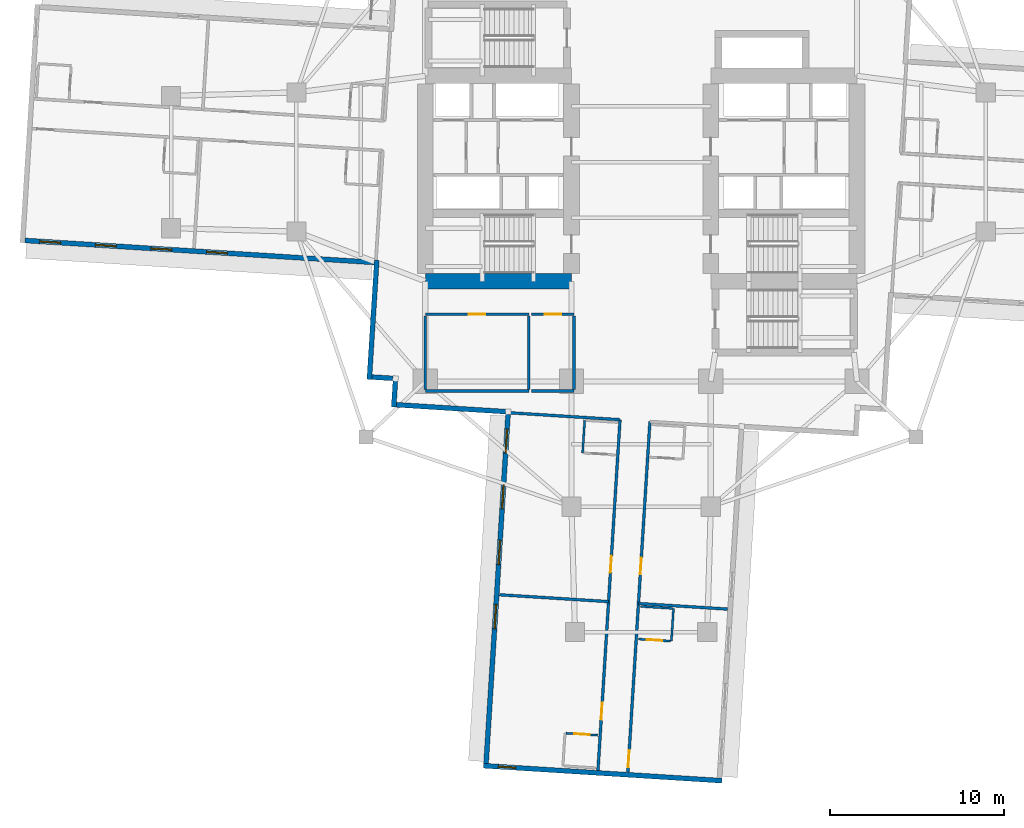
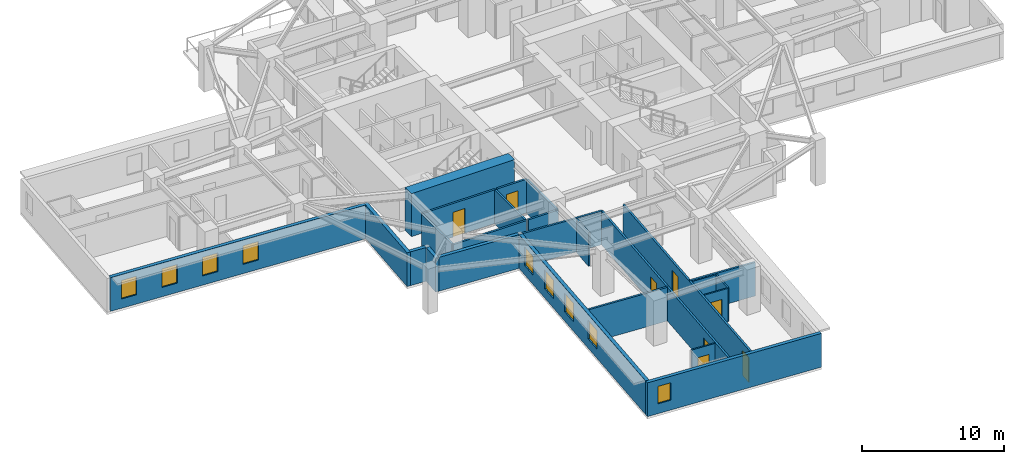
# One storey, part 3 of 14: 25 walls, 9 windows, 8 doors, 17 openings.
"""IFC4 building model written with IfcOpenShell, lengths in metres."""

from ifc_helpers import new_model, si_unit, direction, frame, frame_2d, origin, place, context, subcontext, project, spatial, rectangle, extrude, material, layer, layer_set, type_object, element, fill, save


model = new_model("IFC4")

# Units and contexts
model_context = context("Model", 3, precision=1e-05, world=origin(), true_north=direction((0.0, 1.0)))
body_context = subcontext(model_context, "Body", "Model", "MODEL_VIEW")
ifc_project = project(units=[si_unit("LENGTHUNIT", "METRE"), si_unit("AREAUNIT", "SQUARE_METRE"), si_unit("VOLUMEUNIT", "CUBIC_METRE"), si_unit("PLANEANGLEUNIT", "RADIAN"), si_unit("MASSUNIT", "GRAM", prefix="KILO")], contexts=[model_context])

# Site, building, storey
site_placement = place(None, origin())
site = spatial("IfcSite", under=ifc_project, at=site_placement, CompositionType="ELEMENT")
building_placement = place(site_placement, origin())
building = spatial("IfcBuilding", under=site, at=building_placement, Name="Qingluan Cross Belvedere", CompositionType="ELEMENT")
storey_placement = place(building_placement, frame((0.0, 0.0, 87.300048828125)))
storey = spatial("IfcBuildingStorey", under=building, at=storey_placement, Name="L22", CompositionType="ELEMENT", Elevation=87.300048828125)

# Walls
ifc_material_1 = material(Name="Concrete C70", Category="concrete")
ifc_layer_1 = layer(ifc_material_1, 0.89990234375, Name="CoreShearWall_900")
ifc_layer_set_1 = layer_set([ifc_layer_1], Name="Concrete C70")
wall_type_1 = type_object("IfcWallType", Name="CoreShearWall_900", PredefinedType="SHEAR", material=ifc_layer_set_1)
wall_1_placement = place(storey_placement, frame((-12.39990234375, -6.85009765625, 0.0), z_axis=(0.0, 0.0, 1.0), x_axis=(1.0, 0.0, 0.0)))
element("IfcWall", 1, at=wall_1_placement, inside=storey, type_object=wall_type_1, Name="Split core W shear wall L22-S", PredefinedType="SHEAR", context=body_context, shape_type="SweptSolid", body=[
    extrude(rectangle(XDim=8.39990234375, YDim=0.89990234375, at=frame_2d((4.199951171875, 0.0))), origin(), (0.0, 0.0, 1.0), 3.699951171875),
])
ifc_material_2 = material(Name="Gypsum plasterboard on steel stud acoustic partition", Category="steel")
ifc_layer_2 = layer(ifc_material_2, 0.159912109375, Name="CorridorPartition_160")
ifc_layer_set_2 = layer_set([ifc_layer_2], Name="Gypsum plasterboard on steel stud acoustic partition")
wall_type_2 = type_object("IfcWallType", Name="CorridorPartition_160", PredefinedType="PARTITIONING", material=ifc_layer_set_2)
wall_2_placement = place(storey_placement, frame((-12.39990234375, -13.14990234375, 0.0), z_axis=(0.0, 0.0, 1.0), x_axis=(1.0, 0.0, 0.0)))
element("IfcWall", 2, at=wall_2_placement, inside=storey, type_object=wall_type_2, Name="Partition L22:q_sw1:S", PredefinedType="PARTITIONING", context=body_context, shape_type="SweptSolid", body=[
    extrude(rectangle(XDim=5.949951171875, YDim=0.159912109375, at=frame_2d((2.97509765625, 0.0))), origin(), (0.0, 0.0, 1.0), 2.89990234375),
])

# Wall, opening, door
wall_3_placement = place(storey_placement, frame((-12.39990234375, -8.75, 0.0), z_axis=(0.0, 0.0, 1.0), x_axis=(1.0, 0.0, 0.0)))
wall_3 = element("IfcWall", 3, at=wall_3_placement, inside=storey, type_object=wall_type_2, Name="Partition L22:q_sw1:N", PredefinedType="PARTITIONING", context=body_context, shape_type="SweptSolid", body=[
    extrude(rectangle(XDim=5.949951171875, YDim=0.159912109375, at=frame_2d((2.97509765625, 0.0))), origin(), (0.0, 0.0, 1.0), 2.89990234375),
])
opening_1_placement = place(wall_3_placement, frame((2.4951171875, 0.0, 0.0)))
opening_1 = element("IfcOpeningElement", 4, at=opening_1_placement, cuts=wall_3, Name="Opening GD-10", PredefinedType="OPENING", context=body_context, shape_type="SweptSolid", body=[
    extrude(rectangle(XDim=0.9599609375, YDim=2.14990234375, at=frame_2d((0.47998046875, 1.074951171875))), frame((0.0, 0.08984375, 0.0), z_axis=(0.0, -1.0, 0.0), x_axis=(1.0, 0.0, 0.0)), (0.0, 0.0, 1.0), 0.179931640625),
])
ifc_material_3 = material(Name="Timber oak fire-rated acoustic guestroom door", Category="wood")
door_type_1 = type_object("IfcDoorType", Name="GuestEntryDoor_FD60", OperationType="NOTDEFINED", PredefinedType="DOOR", material=ifc_material_3)
door_1_placement = place(opening_1_placement, origin())
door_1 = element("IfcDoor", 5, at=door_1_placement, inside=storey, type_object=door_type_1, Name="Hydrotherapy treatment room L22 door", OperationType="SINGLE_SWING_LEFT", OverallHeight=2.14990234375, OverallWidth=0.9599609375, PredefinedType="DOOR", context=body_context, shape_type="SweptSolid", body=[
    extrude(rectangle(XDim=0.9599609375, YDim=2.14990234375, at=frame_2d((0.47998046875, 1.074951171875))), frame((0.0, 0.02490234375, 0.0), z_axis=(0.0, -1.0, 0.0), x_axis=(1.0, 0.0, 0.0)), (0.0, 0.0, 1.0), 0.050048828125),
])
fill(opening_1, door_1)

# Walls
for number, where, z_axis, x_axis, name in (
    (6, (-12.39990234375, -13.06494140625, 0.0), (0.0, 0.0, 1.0), (0.0, 1.0, 0.0), "Partition L22:q_sw1:W"),
    (7, (-6.449951171875, -13.06494140625, 0.0), (0.0, 0.0, 1.0), (0.0, 1.0, 0.0), "Partition L22:q_sw1:E"),
):
    element("IfcWall", number, at=place(storey_placement, frame(where, z_axis=z_axis, x_axis=x_axis)), inside=storey, type_object=wall_type_2, Name=name, PredefinedType="PARTITIONING", context=body_context, shape_type="SweptSolid", body=[
        extrude(rectangle(XDim=4.22998046875, YDim=0.159912109375, at=frame_2d((2.114990234375, 0.0))), origin(), (0.0, 0.0, 1.0), 2.89990234375),
    ])
wall_4_placement = place(storey_placement, frame((-6.2900390625, -13.14990234375, 0.0), z_axis=(0.0, 0.0, 1.0), x_axis=(1.0, 0.0, 0.0)))
element("IfcWall", 8, at=wall_4_placement, inside=storey, type_object=wall_type_2, Name="Partition L22:q_sw2:S", PredefinedType="PARTITIONING", context=body_context, shape_type="SweptSolid", body=[
    extrude(rectangle(XDim=2.43994140625, YDim=0.159912109375, at=frame_2d((1.219970703125, 0.0))), origin(), (0.0, 0.0, 1.0), 2.89990234375),
])

# Wall, opening, door
wall_5_placement = place(storey_placement, frame((-6.2900390625, -8.75, 0.0), z_axis=(0.0, 0.0, 1.0), x_axis=(1.0, 0.0, 0.0)))
wall_5 = element("IfcWall", 9, at=wall_5_placement, inside=storey, type_object=wall_type_2, Name="Partition L22:q_sw2:N", PredefinedType="PARTITIONING", context=body_context, shape_type="SweptSolid", body=[
    extrude(rectangle(XDim=2.43994140625, YDim=0.159912109375, at=frame_2d((1.219970703125, 0.0))), origin(), (0.0, 0.0, 1.0), 2.89990234375),
])
opening_2_placement = place(wall_5_placement, frame((0.739990234375, 0.0, 0.0)))
opening_2 = element("IfcOpeningElement", 10, at=opening_2_placement, cuts=wall_5, Name="Opening GD-10", PredefinedType="OPENING", context=body_context, shape_type="SweptSolid", body=[
    extrude(rectangle(XDim=0.9599609375, YDim=2.14990234375, at=frame_2d((0.47998046875, 1.074951171875))), frame((0.0, 0.08984375, 0.0), z_axis=(0.0, -1.0, 0.0), x_axis=(1.0, 0.0, 0.0)), (0.0, 0.0, 1.0), 0.179931640625),
])
door_2_placement = place(opening_2_placement, origin())
door_2 = element("IfcDoor", 11, at=door_2_placement, inside=storey, type_object=door_type_1, Name="Southwest reading room L22 door", OperationType="SINGLE_SWING_RIGHT", OverallHeight=2.14990234375, OverallWidth=0.9599609375, PredefinedType="DOOR", context=body_context, shape_type="SweptSolid", body=[
    extrude(rectangle(XDim=0.9599609375, YDim=2.14990234375, at=frame_2d((0.47998046875, 1.074951171875))), frame((0.0, 0.02490234375, 0.0), z_axis=(0.0, -1.0, 0.0), x_axis=(1.0, 0.0, 0.0)), (0.0, 0.0, 1.0), 0.050048828125),
])
fill(opening_2, door_2)

# Wall
wall_6_placement = place(storey_placement, frame((-3.85009765625, -13.06494140625, 0.0), z_axis=(0.0, 0.0, 1.0), x_axis=(0.0, 1.0, 0.0)))
element("IfcWall", 12, at=wall_6_placement, inside=storey, type_object=wall_type_2, Name="Partition L22:q_sw2:E", PredefinedType="PARTITIONING", context=body_context, shape_type="SweptSolid", body=[
    extrude(rectangle(XDim=4.22998046875, YDim=0.159912109375, at=frame_2d((2.114990234375, 0.0))), origin(), (0.0, 0.0, 1.0), 2.89990234375),
])

# Wall, openings, doors
wall_7_placement = place(storey_placement, frame((0.504638671875, -14.9111328125, 0.0), z_axis=(0.0, 0.0, 1.0), x_axis=(-0.062783460104, -0.998027172545, 0.0)))
wall_7 = element("IfcWall", 13, at=wall_7_placement, inside=storey, type_object=wall_type_2, Name="Partition L22:S:c0", PredefinedType="PARTITIONING", context=body_context, shape_type="SweptSolid", body=[
    extrude(rectangle(XDim=20.181884765625, YDim=0.159912109375, at=frame_2d((10.0908203125, 0.0))), origin(), (0.0, 0.0, 1.0), 2.89990234375),
])
opening_3_placement = place(wall_7_placement, frame((7.8359375, 0.0, 0.0)))
opening_3 = element("IfcOpeningElement", 14, at=opening_3_placement, cuts=wall_7, Name="Opening GD-10", PredefinedType="OPENING", context=body_context, shape_type="SweptSolid", body=[
    extrude(rectangle(XDim=0.9599609375, YDim=2.14990234375, at=frame_2d((0.47998046875, 1.074951171875))), frame((0.0, 0.08984375, 0.0), z_axis=(0.0, -1.0, 0.0), x_axis=(1.0, 0.0, 0.0)), (0.0, 0.0, 1.0), 0.179931640625),
])
opening_4_placement = place(wall_7_placement, frame((18.929931640625, 0.0, 0.0)))
opening_4 = element("IfcOpeningElement", 15, at=opening_4_placement, cuts=wall_7, Name="Opening GD-10", PredefinedType="OPENING", context=body_context, shape_type="SweptSolid", body=[
    extrude(rectangle(XDim=0.9599609375, YDim=2.14990234375, at=frame_2d((0.47998046875, 1.074951171875))), frame((0.0, 0.08984375, 0.0), z_axis=(0.0, -1.0, 0.0), x_axis=(1.0, 0.0, 0.0)), (0.0, 0.0, 1.0), 0.179931640625),
])
door_3_placement = place(opening_3_placement, origin())
door_3 = element("IfcDoor", 16, at=door_3_placement, inside=storey, type_object=door_type_1, Name="Guest entry fire door 2213", OperationType="SINGLE_SWING_LEFT", OverallHeight=2.14990234375, OverallWidth=0.9599609375, PredefinedType="DOOR", context=body_context, shape_type="SweptSolid", body=[
    extrude(rectangle(XDim=0.9599609375, YDim=2.14990234375, at=frame_2d((0.47998046875, 1.074951171875))), frame((0.0, 0.02490234375, 0.0), z_axis=(0.0, -1.0, 0.0), x_axis=(1.0, 0.0, 0.0)), (0.0, 0.0, 1.0), 0.050048828125),
])
fill(opening_3, door_3)
door_4_placement = place(opening_4_placement, origin())
door_4 = element("IfcDoor", 17, at=door_4_placement, inside=storey, type_object=door_type_1, Name="Guest entry fire door 2214", OperationType="SINGLE_SWING_LEFT", OverallHeight=2.14990234375, OverallWidth=0.9599609375, PredefinedType="DOOR", context=body_context, shape_type="SweptSolid", body=[
    extrude(rectangle(XDim=0.9599609375, YDim=2.14990234375, at=frame_2d((0.47998046875, 1.074951171875))), frame((0.0, 0.02490234375, 0.0), z_axis=(0.0, -1.0, 0.0), x_axis=(1.0, 0.0, 0.0)), (0.0, 0.0, 1.0), 0.050048828125),
])
fill(opening_4, door_4)

# Wall
wall_8_placement = place(storey_placement, frame((-0.152587890625, -25.360595703125, 0.0), z_axis=(0.0, 0.0, 1.0), x_axis=(0.998029371307, -0.062748498058, 0.0)))
element("IfcWall", 18, at=wall_8_placement, inside=storey, type_object=wall_type_2, Name="Partition L22:S:d0_0", PredefinedType="PARTITIONING", context=body_context, shape_type="SweptSolid", body=[
    extrude(rectangle(XDim=5.1318359375, YDim=0.159912109375, at=frame_2d((2.56591796875, 0.0))), origin(), (0.0, 0.0, 1.0), 2.89990234375),
])

# Wall, openings, doors
wall_9_placement = place(storey_placement, frame((-1.2119140625, -14.802978515625, 0.0), z_axis=(0.0, 0.0, 1.0), x_axis=(-0.06278270212, -0.998027220227, 0.0)))
wall_9 = element("IfcWall", 19, at=wall_9_placement, inside=storey, type_object=wall_type_2, Name="Partition L22:S:c1", PredefinedType="PARTITIONING", context=body_context, shape_type="SweptSolid", body=[
    extrude(rectangle(XDim=20.18212890625, YDim=0.159912109375, at=frame_2d((10.091064453125, 0.0))), origin(), (0.0, 0.0, 1.0), 2.89990234375),
])
opening_5_placement = place(wall_9_placement, frame((7.8359375, 0.0, 0.0)))
opening_5 = element("IfcOpeningElement", 20, at=opening_5_placement, cuts=wall_9, Name="Opening GD-10", PredefinedType="OPENING", context=body_context, shape_type="SweptSolid", body=[
    extrude(rectangle(XDim=0.9599609375, YDim=2.14990234375, at=frame_2d((0.47998046875, 1.074951171875))), frame((0.0, 0.08984375, 0.0), z_axis=(0.0, -1.0, 0.0), x_axis=(1.0, 0.0, 0.0)), (0.0, 0.0, 1.0), 0.179931640625),
])
opening_6_placement = place(wall_9_placement, frame((16.2958984375, 0.0, 0.0)))
opening_6 = element("IfcOpeningElement", 21, at=opening_6_placement, cuts=wall_9, Name="Opening GD-10", PredefinedType="OPENING", context=body_context, shape_type="SweptSolid", body=[
    extrude(rectangle(XDim=0.9599609375, YDim=2.14990234375, at=frame_2d((0.47998046875, 1.074951171875))), frame((0.0, 0.08984375, 0.0), z_axis=(0.0, -1.0, 0.0), x_axis=(1.0, 0.0, 0.0)), (0.0, 0.0, 1.0), 0.179931640625),
])
door_5_placement = place(opening_5_placement, origin())
door_5 = element("IfcDoor", 22, at=door_5_placement, inside=storey, type_object=door_type_1, Name="Guest entry fire door 2215", OperationType="SINGLE_SWING_LEFT", OverallHeight=2.14990234375, OverallWidth=0.9599609375, PredefinedType="DOOR", context=body_context, shape_type="SweptSolid", body=[
    extrude(rectangle(XDim=0.9599609375, YDim=2.14990234375, at=frame_2d((0.47998046875, 1.074951171875))), frame((0.0, 0.02490234375, 0.0), z_axis=(0.0, -1.0, 0.0), x_axis=(1.0, 0.0, 0.0)), (0.0, 0.0, 1.0), 0.050048828125),
])
fill(opening_5, door_5)
door_6_placement = place(opening_6_placement, origin())
door_6 = element("IfcDoor", 23, at=door_6_placement, inside=storey, type_object=door_type_1, Name="Guest entry fire door 2216", OperationType="SINGLE_SWING_LEFT", OverallHeight=2.14990234375, OverallWidth=0.9599609375, PredefinedType="DOOR", context=body_context, shape_type="SweptSolid", body=[
    extrude(rectangle(XDim=0.9599609375, YDim=2.14990234375, at=frame_2d((0.47998046875, 1.074951171875))), frame((0.0, 0.02490234375, 0.0), z_axis=(0.0, -1.0, 0.0), x_axis=(1.0, 0.0, 0.0)), (0.0, 0.0, 1.0), 0.050048828125),
])
fill(opening_6, door_6)

# Walls
wall_10_placement = place(storey_placement, frame((-1.2119140625, -14.802978515625, 0.0), z_axis=(0.0, 0.0, 1.0), x_axis=(-0.998027420959, 0.062779511096, 0.0)))
element("IfcWall", 24, at=wall_10_placement, inside=storey, type_object=wall_type_2, Name="Partition L22:S:s1", PredefinedType="PARTITIONING", context=body_context, shape_type="SweptSolid", body=[
    extrude(rectangle(XDim=6.43994140625, YDim=0.159912109375, at=frame_2d((3.219970703125, 0.0))), origin(), (0.0, 0.0, 1.0), 2.89990234375),
])
wall_11_placement = place(storey_placement, frame((-1.869384765625, -25.25244140625, 0.0), z_axis=(0.0, 0.0, 1.0), x_axis=(-0.998027283173, 0.062781701496, 0.0)))
element("IfcWall", 25, at=wall_11_placement, inside=storey, type_object=wall_type_2, Name="Partition L22:S:d1_0", PredefinedType="PARTITIONING", context=body_context, shape_type="SweptSolid", body=[
    extrude(rectangle(XDim=6.2919921875, YDim=0.159912109375, at=frame_2d((3.14599609375, 0.0))), origin(), (0.0, 0.0, 1.0), 2.89990234375),
])

# Wall, opening, door
ifc_material_4 = material(Name="Moisture-resistant gypsum board lining")
ifc_layer_3 = layer(ifc_material_4, 0.1201171875, Name="EnsuiteWetPartition_120")
ifc_layer_set_3 = layer_set([ifc_layer_3], Name="Moisture-resistant gypsum board lining")
wall_type_3 = type_object("IfcWallType", Name="EnsuiteWetPartition_120", PredefinedType="PARTITIONING", material=ifc_layer_set_3)
wall_12_placement = place(storey_placement, frame((-0.14111328125, -27.4052734375, 0.0), z_axis=(0.0, 0.0, 1.0), x_axis=(0.998027443946, -0.062779145668, 0.0)))
wall_12 = element("IfcWall", 26, at=wall_12_placement, inside=storey, type_object=wall_type_3, Name="Partition L22:S:bs0_1", PredefinedType="PARTITIONING", context=body_context, shape_type="SweptSolid", body=[
    extrude(rectangle(XDim=1.820068359375, YDim=0.1201171875, at=frame_2d((0.91015625, 0.0))), origin(), (0.0, 0.0, 1.0), 2.89990234375),
])
opening_7_placement = place(wall_12_placement, frame((0.469970703125, 0.0, 0.0)))
opening_7 = element("IfcOpeningElement", 27, at=opening_7_placement, cuts=wall_12, Name="Opening BD-09", PredefinedType="OPENING", context=body_context, shape_type="SweptSolid", body=[
    extrude(rectangle(XDim=0.8798828125, YDim=2.10009765625, at=frame_2d((0.43994140625, 1.050048828125))), frame((0.0, 0.070068359375, 0.0), z_axis=(0.0, -1.0, 0.0), x_axis=(1.0, 0.0, 0.0)), (0.0, 0.0, 1.0), 0.14013671875),
])
ifc_material_5 = material(Name="Moisture-sealed timber en-suite door", Category="wood")
door_type_2 = type_object("IfcDoorType", Name="BathroomDoor_880", OperationType="NOTDEFINED", PredefinedType="DOOR", material=ifc_material_5)
door_7_placement = place(opening_7_placement, origin())
door_7 = element("IfcDoor", 28, at=door_7_placement, inside=storey, type_object=door_type_2, Name="Bathroom door 2214", OperationType="SINGLE_SWING_RIGHT", OverallHeight=2.10009765625, OverallWidth=0.8798828125, PredefinedType="DOOR", context=body_context, shape_type="SweptSolid", body=[
    extrude(rectangle(XDim=0.8798828125, YDim=2.10009765625, at=frame_2d((0.43994140625, 1.050048828125))), frame((0.0, 0.02490234375, 0.0), z_axis=(0.0, -1.0, 0.0), x_axis=(1.0, 0.0, 0.0)), (0.0, 0.0, 1.0), 0.050048828125),
])
fill(opening_7, door_7)

# Walls
wall_13_placement = place(storey_placement, frame((-0.02294921875, -25.52880859375, 0.0), z_axis=(0.0, 0.0, 1.0), x_axis=(0.998019030272, -0.062912758763, 0.0)))
element("IfcWall", 29, at=wall_13_placement, inside=storey, type_object=wall_type_3, Name="Partition L22:S:bw0_1", PredefinedType="PARTITIONING", context=body_context, shape_type="SweptSolid", body=[
    extrude(rectangle(XDim=1.820068359375, YDim=0.1201171875, at=frame_2d((0.91015625, 0.0))), origin(), (0.0, 0.0, 1.0), 2.89990234375),
])
wall_14_placement = place(storey_placement, frame((1.8583984375, -25.647216796875, 0.0), z_axis=(0.0, 0.0, 1.0), x_axis=(-0.062847152131, -0.998023163794, 0.0)))
element("IfcWall", 30, at=wall_14_placement, inside=storey, type_object=wall_type_3, Name="Partition L22:S:bn0_1", PredefinedType="PARTITIONING", context=body_context, shape_type="SweptSolid", body=[
    extrude(rectangle(XDim=1.880126953125, YDim=0.1201171875, at=frame_2d((0.93994140625, 0.0))), origin(), (0.0, 0.0, 1.0), 2.89990234375),
])
wall_15_placement = place(storey_placement, frame((-3.242919921875, -14.835693359375, 0.0), z_axis=(0.0, 0.0, 1.0), x_axis=(-0.062855297722, -0.998022650819, 0.0)))
element("IfcWall", 31, at=wall_15_placement, inside=storey, type_object=wall_type_3, Name="Partition L22:S:bc1_0", PredefinedType="PARTITIONING", context=body_context, shape_type="SweptSolid", body=[
    extrude(rectangle(XDim=1.8798828125, YDim=0.1201171875, at=frame_2d((0.93994140625, 0.0))), origin(), (0.0, 0.0, 1.0), 2.89990234375),
])

# Wall, opening, door
wall_16_placement = place(storey_placement, frame((-4.308837890625, -32.814208984375, 0.0), z_axis=(0.0, 0.0, 1.0), x_axis=(0.998027443946, -0.062779145668, 0.0)))
wall_16 = element("IfcWall", 32, at=wall_16_placement, inside=storey, type_object=wall_type_3, Name="Partition L22:S:bs1_1", PredefinedType="PARTITIONING", context=body_context, shape_type="SweptSolid", body=[
    extrude(rectangle(XDim=1.820068359375, YDim=0.1201171875, at=frame_2d((0.91015625, 0.0))), origin(), (0.0, 0.0, 1.0), 2.89990234375),
])
opening_8_placement = place(wall_16_placement, frame((0.469970703125, 0.0, 0.0)))
opening_8 = element("IfcOpeningElement", 33, at=opening_8_placement, cuts=wall_16, Name="Opening BD-09", PredefinedType="OPENING", context=body_context, shape_type="SweptSolid", body=[
    extrude(rectangle(XDim=0.8798828125, YDim=2.10009765625, at=frame_2d((0.43994140625, 1.050048828125))), frame((0.0, 0.070068359375, 0.0), z_axis=(0.0, -1.0, 0.0), x_axis=(1.0, 0.0, 0.0)), (0.0, 0.0, 1.0), 0.14013671875),
])
door_8_placement = place(opening_8_placement, origin())
door_8 = element("IfcDoor", 34, at=door_8_placement, inside=storey, type_object=door_type_2, Name="Bathroom door 2216", OperationType="SINGLE_SWING_RIGHT", OverallHeight=2.10009765625, OverallWidth=0.8798828125, PredefinedType="DOOR", context=body_context, shape_type="SweptSolid", body=[
    extrude(rectangle(XDim=0.8798828125, YDim=2.10009765625, at=frame_2d((0.43994140625, 1.050048828125))), frame((0.0, 0.02490234375, 0.0), z_axis=(0.0, -1.0, 0.0), x_axis=(1.0, 0.0, 0.0)), (0.0, 0.0, 1.0), 0.050048828125),
])
fill(opening_8, door_8)

# Wall, openings, windows
ifc_material_6 = material(Name="Precast concrete C45", Category="concrete")
ifc_layer_4 = layer(ifc_material_6, 0.280029296875, Name="PrecastFacadeWall_280")
ifc_layer_set_4 = layer_set([ifc_layer_4], Name="Precast concrete C45")
wall_type_4 = type_object("IfcWallType", Name="PrecastFacadeWall_280", PredefinedType="STANDARD", material=ifc_layer_set_4)
wall_17_placement = place(storey_placement, frame((-35.392822265625, -4.506591796875, 0.0), z_axis=(0.0, 0.0, 1.0), x_axis=(0.998027116198, -0.062784355807, 0.0)))
wall_17 = element("IfcWall", 35, at=wall_17_placement, inside=storey, type_object=wall_type_4, Name="Facade wall L22-WB", PredefinedType="STANDARD", context=body_context, shape_type="SweptSolid", body=[
    extrude(rectangle(XDim=20.099853515625, YDim=0.280029296875, at=frame_2d((10.0498046875, 0.0))), origin(), (0.0, 0.0, 1.0), 2.909912109375),
])
opening_9_placement = place(wall_17_placement, frame((0.85009765625, 0.0, 0.800048828125)))
opening_9 = element("IfcOpeningElement", 36, at=opening_9_placement, cuts=wall_17, Name="Opening W-02", PredefinedType="OPENING", context=body_context, shape_type="SweptSolid", body=[
    extrude(rectangle(XDim=1.199951171875, YDim=1.60009765625, at=frame_2d((0.60009765625, 0.800048828125))), frame((0.0, 0.14990234375, 0.0), z_axis=(0.0, -1.0, 0.0), x_axis=(1.0, 0.0, 0.0)), (0.0, 0.0, 1.0), 0.300048828125),
])
opening_10_placement = place(wall_17_placement, frame((4.050048828125, 0.0, 0.800048828125)))
opening_10 = element("IfcOpeningElement", 37, at=opening_10_placement, cuts=wall_17, Name="Opening W-02", PredefinedType="OPENING", context=body_context, shape_type="SweptSolid", body=[
    extrude(rectangle(XDim=1.199951171875, YDim=1.60009765625, at=frame_2d((0.60009765625, 0.800048828125))), frame((0.0, 0.14990234375, 0.0), z_axis=(0.0, -1.0, 0.0), x_axis=(1.0, 0.0, 0.0)), (0.0, 0.0, 1.0), 0.300048828125),
])
opening_11_placement = place(wall_17_placement, frame((7.25, 0.0, 0.800048828125)))
opening_11 = element("IfcOpeningElement", 38, at=opening_11_placement, cuts=wall_17, Name="Opening W-02", PredefinedType="OPENING", context=body_context, shape_type="SweptSolid", body=[
    extrude(rectangle(XDim=1.199951171875, YDim=1.60009765625, at=frame_2d((0.60009765625, 0.800048828125))), frame((0.0, 0.14990234375, 0.0), z_axis=(0.0, -1.0, 0.0), x_axis=(1.0, 0.0, 0.0)), (0.0, 0.0, 1.0), 0.300048828125),
])
opening_12_placement = place(wall_17_placement, frame((10.449951171875, 0.0, 0.800048828125)))
opening_12 = element("IfcOpeningElement", 39, at=opening_12_placement, cuts=wall_17, Name="Opening W-02", PredefinedType="OPENING", context=body_context, shape_type="SweptSolid", body=[
    extrude(rectangle(XDim=1.199951171875, YDim=1.60009765625, at=frame_2d((0.60009765625, 0.800048828125))), frame((0.0, 0.14990234375, 0.0), z_axis=(0.0, -1.0, 0.0), x_axis=(1.0, 0.0, 0.0)), (0.0, 0.0, 1.0), 0.300048828125),
])
ifc_material_7 = material(Name="Thermally broken triple Low-E glass in aluminium frame", Category="aluminium")
window_type_1 = type_object("IfcWindowType", Name="TriRibbonWin_1200x1600", PartitioningType="SINGLE_PANEL", PredefinedType="WINDOW", material=ifc_material_7)
window_1_placement = place(opening_9_placement, origin())
window_1 = element("IfcWindow", 40, at=window_1_placement, inside=storey, type_object=window_type_1, Name="Ribbon window L22-WB-1", OverallHeight=1.60009765625, OverallWidth=1.199951171875, PartitioningType="SINGLE_PANEL", PredefinedType="WINDOW", context=body_context, shape_type="SweptSolid", body=[
    extrude(rectangle(XDim=1.199951171875, YDim=1.60009765625, at=frame_2d((0.60009765625, 0.800048828125))), frame((0.0, 0.030029296875, 0.0), z_axis=(0.0, -1.0, 0.0), x_axis=(1.0, 0.0, 0.0)), (0.0, 0.0, 1.0), 0.06005859375),
])
fill(opening_9, window_1)
window_2_placement = place(opening_10_placement, origin())
window_2 = element("IfcWindow", 41, at=window_2_placement, inside=storey, type_object=window_type_1, Name="Ribbon window L22-WB-2", OverallHeight=1.60009765625, OverallWidth=1.199951171875, PartitioningType="SINGLE_PANEL", PredefinedType="WINDOW", context=body_context, shape_type="SweptSolid", body=[
    extrude(rectangle(XDim=1.199951171875, YDim=1.60009765625, at=frame_2d((0.60009765625, 0.800048828125))), frame((0.0, 0.030029296875, 0.0), z_axis=(0.0, -1.0, 0.0), x_axis=(1.0, 0.0, 0.0)), (0.0, 0.0, 1.0), 0.06005859375),
])
fill(opening_10, window_2)
window_3_placement = place(opening_11_placement, origin())
window_3 = element("IfcWindow", 42, at=window_3_placement, inside=storey, type_object=window_type_1, Name="Ribbon window L22-WB-3", OverallHeight=1.60009765625, OverallWidth=1.199951171875, PartitioningType="SINGLE_PANEL", PredefinedType="WINDOW", context=body_context, shape_type="SweptSolid", body=[
    extrude(rectangle(XDim=1.199951171875, YDim=1.60009765625, at=frame_2d((0.60009765625, 0.800048828125))), frame((0.0, 0.030029296875, 0.0), z_axis=(0.0, -1.0, 0.0), x_axis=(1.0, 0.0, 0.0)), (0.0, 0.0, 1.0), 0.06005859375),
])
fill(opening_11, window_3)
window_4_placement = place(opening_12_placement, origin())
window_4 = element("IfcWindow", 43, at=window_4_placement, inside=storey, type_object=window_type_1, Name="Ribbon window L22-WB-4", OverallHeight=1.60009765625, OverallWidth=1.199951171875, PartitioningType="SINGLE_PANEL", PredefinedType="WINDOW", context=body_context, shape_type="SweptSolid", body=[
    extrude(rectangle(XDim=1.199951171875, YDim=1.60009765625, at=frame_2d((0.60009765625, 0.800048828125))), frame((0.0, 0.030029296875, 0.0), z_axis=(0.0, -1.0, 0.0), x_axis=(1.0, 0.0, 0.0)), (0.0, 0.0, 1.0), 0.06005859375),
])
fill(opening_12, window_4)

wall_18_placement = place(storey_placement, frame((-7.644775390625, -14.488525390625, 0.0), z_axis=(0.0, 0.0, 1.0), x_axis=(-0.06279645424, -0.99802635503, 0.0)))
wall_18 = element("IfcWall", 44, at=wall_18_placement, inside=storey, type_object=wall_type_4, Name="Facade wall L22-SA", PredefinedType="STANDARD", context=body_context, shape_type="SweptSolid", body=[
    extrude(rectangle(XDim=20.099853515625, YDim=0.280029296875, at=frame_2d((10.0498046875, 0.0))), origin(), (0.0, 0.0, 1.0), 2.909912109375),
])
opening_13_placement = place(wall_18_placement, frame((0.85009765625, 0.0, 0.800048828125)))
opening_13 = element("IfcOpeningElement", 45, at=opening_13_placement, cuts=wall_18, Name="Opening W-01", PredefinedType="OPENING", context=body_context, shape_type="SweptSolid", body=[
    extrude(rectangle(XDim=1.39990234375, YDim=1.60009765625, at=frame_2d((0.699951171875, 0.800048828125))), frame((0.0, 0.14990234375, 0.0), z_axis=(0.0, -1.0, 0.0), x_axis=(1.0, 0.0, 0.0)), (0.0, 0.0, 1.0), 0.300048828125),
])
opening_14_placement = place(wall_18_placement, frame((4.050048828125, 0.0, 0.800048828125)))
opening_14 = element("IfcOpeningElement", 46, at=opening_14_placement, cuts=wall_18, Name="Opening W-01", PredefinedType="OPENING", context=body_context, shape_type="SweptSolid", body=[
    extrude(rectangle(XDim=1.39990234375, YDim=1.60009765625, at=frame_2d((0.699951171875, 0.800048828125))), frame((0.0, 0.14990234375, 0.0), z_axis=(0.0, -1.0, 0.0), x_axis=(1.0, 0.0, 0.0)), (0.0, 0.0, 1.0), 0.300048828125),
])
opening_15_placement = place(wall_18_placement, frame((7.25, 0.0, 0.800048828125)))
opening_15 = element("IfcOpeningElement", 47, at=opening_15_placement, cuts=wall_18, Name="Opening W-01", PredefinedType="OPENING", context=body_context, shape_type="SweptSolid", body=[
    extrude(rectangle(XDim=1.39990234375, YDim=1.60009765625, at=frame_2d((0.699951171875, 0.800048828125))), frame((0.0, 0.14990234375, 0.0), z_axis=(0.0, -1.0, 0.0), x_axis=(1.0, 0.0, 0.0)), (0.0, 0.0, 1.0), 0.300048828125),
])
opening_16_placement = place(wall_18_placement, frame((10.949951171875, 0.0, 0.800048828125)))
opening_16 = element("IfcOpeningElement", 48, at=opening_16_placement, cuts=wall_18, Name="Opening W-01", PredefinedType="OPENING", context=body_context, shape_type="SweptSolid", body=[
    extrude(rectangle(XDim=1.39990234375, YDim=1.60009765625, at=frame_2d((0.699951171875, 0.800048828125))), frame((0.0, 0.14990234375, 0.0), z_axis=(0.0, -1.0, 0.0), x_axis=(1.0, 0.0, 0.0)), (0.0, 0.0, 1.0), 0.300048828125),
])
ifc_material_8 = material(Name="Thermally broken triple Low-E glass in aluminium frame", Category="aluminium")
window_type_2 = type_object("IfcWindowType", Name="TriRibbonWin_1400x1600", PartitioningType="SINGLE_PANEL", PredefinedType="WINDOW", material=ifc_material_8)
window_5_placement = place(opening_13_placement, origin())
window_5 = element("IfcWindow", 49, at=window_5_placement, inside=storey, type_object=window_type_2, Name="Ribbon window L22-SA-1", OverallHeight=1.60009765625, OverallWidth=1.39990234375, PartitioningType="SINGLE_PANEL", PredefinedType="WINDOW", context=body_context, shape_type="SweptSolid", body=[
    extrude(rectangle(XDim=1.39990234375, YDim=1.60009765625, at=frame_2d((0.699951171875, 0.800048828125))), frame((0.0, 0.030029296875, 0.0), z_axis=(0.0, -1.0, 0.0), x_axis=(1.0, 0.0, 0.0)), (0.0, 0.0, 1.0), 0.06005859375),
])
fill(opening_13, window_5)
window_6_placement = place(opening_14_placement, origin())
window_6 = element("IfcWindow", 50, at=window_6_placement, inside=storey, type_object=window_type_2, Name="Ribbon window L22-SA-2", OverallHeight=1.60009765625, OverallWidth=1.39990234375, PartitioningType="SINGLE_PANEL", PredefinedType="WINDOW", context=body_context, shape_type="SweptSolid", body=[
    extrude(rectangle(XDim=1.39990234375, YDim=1.60009765625, at=frame_2d((0.699951171875, 0.800048828125))), frame((0.0, 0.030029296875, 0.0), z_axis=(0.0, -1.0, 0.0), x_axis=(1.0, 0.0, 0.0)), (0.0, 0.0, 1.0), 0.06005859375),
])
fill(opening_14, window_6)
window_7_placement = place(opening_15_placement, origin())
window_7 = element("IfcWindow", 51, at=window_7_placement, inside=storey, type_object=window_type_2, Name="Ribbon window L22-SA-3", OverallHeight=1.60009765625, OverallWidth=1.39990234375, PartitioningType="SINGLE_PANEL", PredefinedType="WINDOW", context=body_context, shape_type="SweptSolid", body=[
    extrude(rectangle(XDim=1.39990234375, YDim=1.60009765625, at=frame_2d((0.699951171875, 0.800048828125))), frame((0.0, 0.030029296875, 0.0), z_axis=(0.0, -1.0, 0.0), x_axis=(1.0, 0.0, 0.0)), (0.0, 0.0, 1.0), 0.06005859375),
])
fill(opening_15, window_7)
window_8_placement = place(opening_16_placement, origin())
window_8 = element("IfcWindow", 52, at=window_8_placement, inside=storey, type_object=window_type_2, Name="Ribbon window L22-SA-4", OverallHeight=1.60009765625, OverallWidth=1.39990234375, PartitioningType="SINGLE_PANEL", PredefinedType="WINDOW", context=body_context, shape_type="SweptSolid", body=[
    extrude(rectangle(XDim=1.39990234375, YDim=1.60009765625, at=frame_2d((0.699951171875, 0.800048828125))), frame((0.0, 0.030029296875, 0.0), z_axis=(0.0, -1.0, 0.0), x_axis=(1.0, 0.0, 0.0)), (0.0, 0.0, 1.0), 0.06005859375),
])
fill(opening_16, window_8)

# Wall, opening, window
wall_19_placement = place(storey_placement, frame((-9.055419921875, -34.6796875, 0.0), z_axis=(0.0, 0.0, 1.0), x_axis=(0.998026318072, -0.062797041623, 0.0)))
wall_19 = element("IfcWall", 53, at=wall_19_placement, inside=storey, type_object=wall_type_4, Name="Arm tip precast facade wall L22-S", PredefinedType="STANDARD", context=body_context, shape_type="SweptSolid", body=[
    extrude(rectangle(XDim=13.719970703125, YDim=0.280029296875, at=frame_2d((6.85986328125, 0.0))), origin(), (0.0, 0.0, 1.0), 2.909912109375),
])
opening_17_placement = place(wall_19_placement, frame((0.85009765625, 0.0, 0.85009765625)))
opening_17 = element("IfcOpeningElement", 54, at=opening_17_placement, cuts=wall_19, Name="Opening W-03", PredefinedType="OPENING", context=body_context, shape_type="SweptSolid", body=[
    extrude(rectangle(XDim=1.0, YDim=1.5, at=frame_2d((0.5, 0.75))), frame((0.0, 0.14990234375, 0.0), z_axis=(0.0, -1.0, 0.0), x_axis=(1.0, 0.0, 0.0)), (0.0, 0.0, 1.0), 0.300048828125),
])
ifc_material_9 = material(Name="Thermally broken triple Low-E glass in aluminium frame", Category="aluminium")
window_type_3 = type_object("IfcWindowType", Name="TriApexWin_1000x1500", PartitioningType="SINGLE_PANEL", PredefinedType="WINDOW", material=ifc_material_9)
window_9_placement = place(opening_17_placement, origin())
window_9 = element("IfcWindow", 55, at=window_9_placement, inside=storey, type_object=window_type_3, Name="Arm tip triangular window L22-S", OverallHeight=1.5, OverallWidth=1.0, PartitioningType="SINGLE_PANEL", PredefinedType="WINDOW", context=body_context, shape_type="SweptSolid", body=[
    extrude(rectangle(XDim=1.0, YDim=1.5, at=frame_2d((0.5, 0.75))), frame((0.0, 0.030029296875, 0.0), z_axis=(0.0, -1.0, 0.0), x_axis=(1.0, 0.0, 0.0)), (0.0, 0.0, 1.0), 0.06005859375),
])
fill(opening_17, window_9)

# Walls
wall_20_placement = place(storey_placement, frame((-15.18408203125, -5.6376953125, 0.0), z_axis=(0.0, 0.0, 1.0), x_axis=(-0.062779317195, -0.998027433156, 0.0)))
element("IfcWall", 56, at=wall_20_placement, inside=storey, type_object=wall_type_4, Name="Corner wall L22-SW1", PredefinedType="STANDARD", context=body_context, shape_type="SweptSolid", body=[
    extrude(rectangle(XDim=6.85986328125, YDim=0.280029296875, at=frame_2d((3.429931640625, 0.0))), origin(), (0.0, 0.0, 1.0), 2.909912109375),
])
wall_21_placement = place(storey_placement, frame((-15.46630859375, -12.353271484375, 0.0), z_axis=(0.0, 0.0, 1.0), x_axis=(0.998024450254, -0.062826719603, 0.0)))
element("IfcWall", 57, at=wall_21_placement, inside=storey, type_object=wall_type_4, Name="Corner wall L22-SW2", PredefinedType="STANDARD", context=body_context, shape_type="SweptSolid", body=[
    extrude(rectangle(XDim=1.22021484375, YDim=0.280029296875, at=frame_2d((0.610107421875, 0.0))), origin(), (0.0, 0.0, 1.0), 2.909912109375),
])
wall_22_placement = place(storey_placement, frame((-14.11767578125, -12.578369140625, 0.0), z_axis=(0.0, 0.0, 1.0), x_axis=(-0.062824119533, -0.998024613927, 0.0)))
element("IfcWall", 58, at=wall_22_placement, inside=storey, type_object=wall_type_4, Name="Corner wall L22-SW3", PredefinedType="STANDARD", context=body_context, shape_type="SweptSolid", body=[
    extrude(rectangle(XDim=1.5, YDim=0.280029296875, at=frame_2d((0.75, 0.0))), origin(), (0.0, 0.0, 1.0), 2.909912109375),
])
wall_23_placement = place(storey_placement, frame((-14.063232421875, -13.944580078125, 0.0), z_axis=(0.0, 0.0, 1.0), x_axis=(0.998027314704, -0.062781200242, 0.0)))
element("IfcWall", 59, at=wall_23_placement, inside=storey, type_object=wall_type_4, Name="Corner wall L22-SW4", PredefinedType="STANDARD", context=body_context, shape_type="SweptSolid", body=[
    extrude(rectangle(XDim=6.2998046875, YDim=0.280029296875, at=frame_2d((3.14990234375, 0.0))), origin(), (0.0, 0.0, 1.0), 2.909912109375),
])

save(model, "model.ifc")
